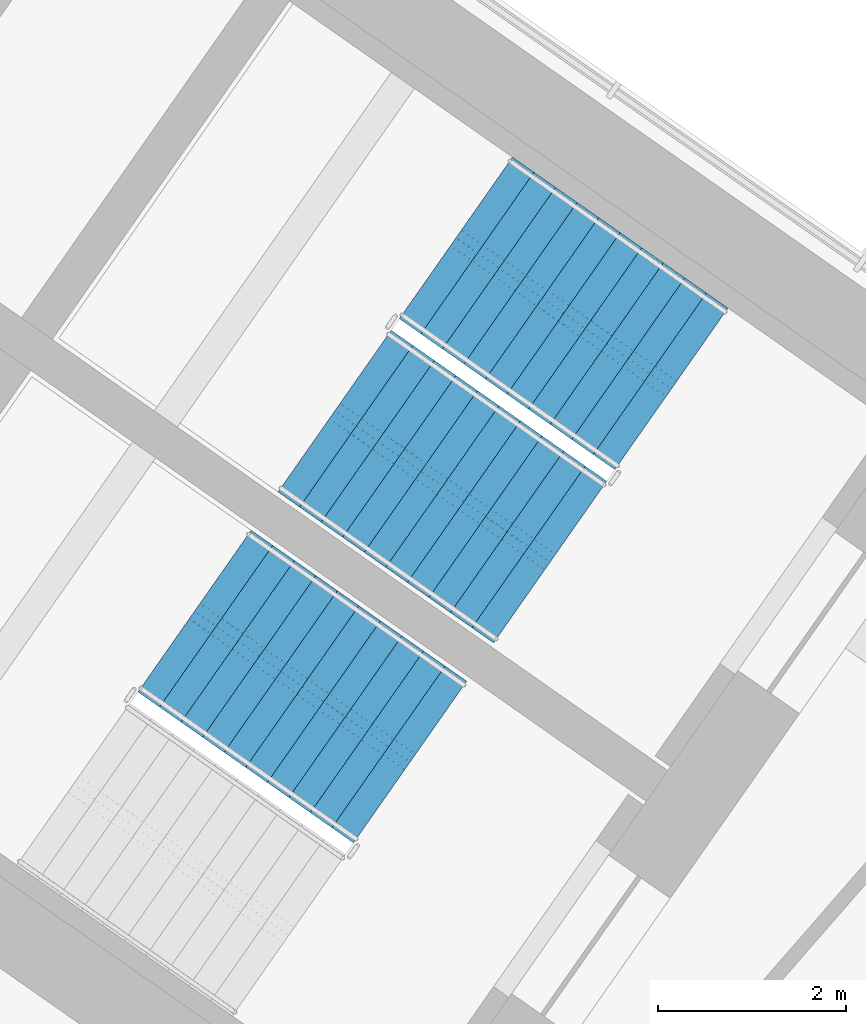
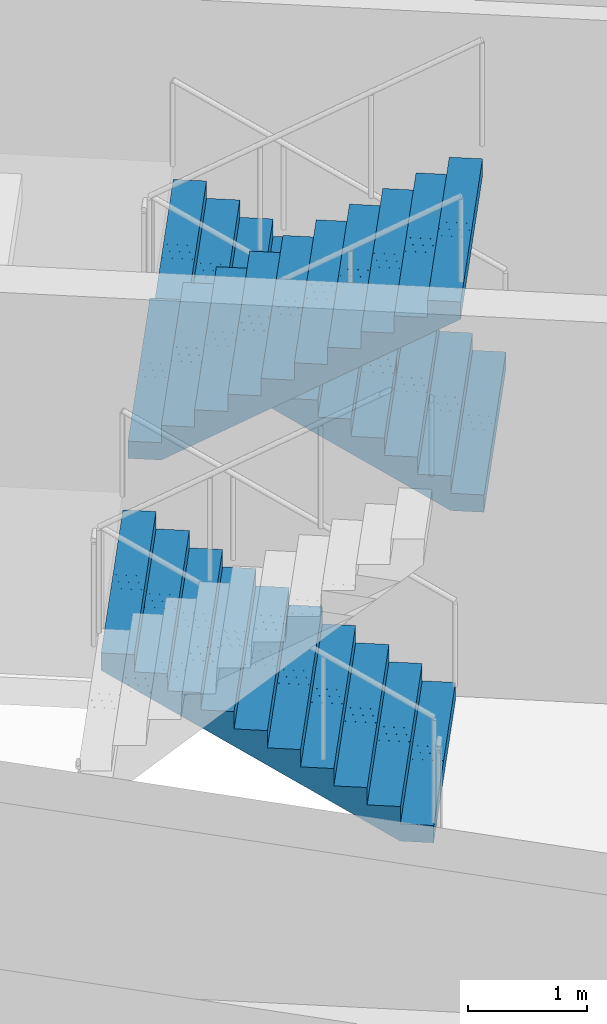
# One storey, part 18 of 23: 3 stair flights, 2 elements without a shape of their own.
"""IFC4 building model written with IfcOpenShell, lengths in metres."""

from ifc_helpers import new_model, si_unit, direction, frame, origin, place, context, subcontext, project, spatial, polyline, outline, extrude, material, type_object, element, aggregate, save


model = new_model("IFC4")

# Units and contexts
model_context = context("Model", 3, precision=1e-05, world=origin(), true_north=direction((0.0, 1.0)))
body_context = subcontext(model_context, "Body", "Model", "MODEL_VIEW")
ifc_project = project(units=[si_unit("LENGTHUNIT", "METRE"), si_unit("AREAUNIT", "SQUARE_METRE"), si_unit("VOLUMEUNIT", "CUBIC_METRE"), si_unit("PLANEANGLEUNIT", "RADIAN"), si_unit("MASSUNIT", "GRAM", prefix="KILO")], contexts=[model_context])

# Site, building, storey
site_placement = place(None, origin())
site = spatial("IfcSite", under=ifc_project, at=site_placement, CompositionType="ELEMENT")
building_placement = place(site_placement, origin())
building = spatial("IfcBuilding", under=site, at=building_placement, Name="Tel Ilan Convention Tower", CompositionType="ELEMENT")
storey_placement = place(building_placement, frame((0.0, 0.0, 174.89990234375)))
storey = spatial("IfcBuildingStorey", under=building, at=storey_placement, Name="L40", CompositionType="ELEMENT", Elevation=174.89990234375)

# Stair, stair flights
ifc_material_1 = material(Name="Concrete C40/50", Category="concrete")
stair_type = type_object("IfcStairType", Name="Pressurised Exit Stair 22 risers 177 mm", PredefinedType="HALF_TURN_STAIR", material=ifc_material_1)
stair_1_placement = place(storey_placement, origin())
stair_1 = element("IfcStair", 1, at=stair_1_placement, inside=storey, type_object=stair_type, Name="L40 Pressurised Stair S3", PredefinedType="HALF_TURN_STAIR")
ifc_material_2 = material(Name="Precast Concrete C40/50", Category="concrete")
stair_flight_type = type_object("IfcStairFlightType", Name="Concrete Stair Flight 2100 mm 22 risers 177 mm", PredefinedType="STRAIGHT", material=ifc_material_2)
stair_flight_1_placement = place(storey_placement, frame((24.25244140625, -7.032470703125, 0.0), z_axis=(0.0, 0.0, 1.0), x_axis=(-0.819152044289, 0.573576436351, 0.0)))
stair_flight_1 = element("IfcStairFlight", 2, at=stair_flight_1_placement, type_object=stair_flight_type, Name="S3 flight 1", NumberOfRisers=11, NumberOfTreads=10, PredefinedType="STRAIGHT", RiserHeight=0.177272727, TreadLength=0.28, context=body_context, shape_type="SweptSolid", body=[
    extrude(outline(polyline([(0.0, 0.0), (0.0, 0.17724609375), (0.280029296875, 0.17724609375), (0.280029296875, 0.3544921875), (0.56005859375, 0.3544921875), (0.56005859375, 0.53173828125), (0.840087890625, 0.53173828125), (0.840087890625, 0.708984375), (1.1201171875, 0.708984375), (1.1201171875, 0.886474609375), (1.39990234375, 0.886474609375), (1.39990234375, 1.063720703125), (1.679931640625, 1.063720703125), (1.679931640625, 1.240966796875), (1.9599609375, 1.240966796875), (1.9599609375, 1.418212890625), (2.239990234375, 1.418212890625), (2.239990234375, 1.595458984375), (2.52001953125, 1.595458984375), (2.52001953125, 1.772705078125), (2.800048828125, 1.772705078125), (2.800048828125, 1.949951171875), (2.800048828125, 1.59521484375), (0.2802734375, 0.0), (0.0, 0.0)])), frame((0.0, -0.100341796875, 0.0), z_axis=(0.0, -1.0, 0.0), x_axis=(1.0, 0.0, 0.0)), (0.0, 0.0, 1.0), 0.94970703125),
    extrude(outline(polyline([(0.0, 0.0), (0.0, 0.17724609375), (0.280029296875, 0.17724609375), (0.280029296875, 0.3544921875), (0.56005859375, 0.3544921875), (0.56005859375, 0.53173828125), (0.840087890625, 0.53173828125), (0.840087890625, 0.708984375), (1.1201171875, 0.708984375), (1.1201171875, 0.886474609375), (1.39990234375, 0.886474609375), (1.39990234375, 1.063720703125), (1.679931640625, 1.063720703125), (1.679931640625, 1.240966796875), (1.9599609375, 1.240966796875), (1.9599609375, 1.418212890625), (2.239990234375, 1.418212890625), (2.239990234375, 1.595458984375), (2.52001953125, 1.595458984375), (2.52001953125, 1.772705078125), (2.800048828125, 1.772705078125), (2.800048828125, 1.949951171875), (2.800048828125, 1.59521484375), (0.2802734375, 0.0), (0.0, 0.0)])), frame((0.0, -0.000244140625, 0.0), z_axis=(0.0, -1.0, 0.0), x_axis=(1.0, 0.0, 0.0)), (0.0, 0.0, 1.0), 0.099609375),
    extrude(outline(polyline([(0.0, 0.0), (0.0, 0.17724609375), (0.280029296875, 0.17724609375), (0.280029296875, 0.3544921875), (0.56005859375, 0.3544921875), (0.56005859375, 0.53173828125), (0.840087890625, 0.53173828125), (0.840087890625, 0.708984375), (1.1201171875, 0.708984375), (1.1201171875, 0.886474609375), (1.39990234375, 0.886474609375), (1.39990234375, 1.063720703125), (1.679931640625, 1.063720703125), (1.679931640625, 1.240966796875), (1.9599609375, 1.240966796875), (1.9599609375, 1.418212890625), (2.239990234375, 1.418212890625), (2.239990234375, 1.595458984375), (2.52001953125, 1.595458984375), (2.52001953125, 1.772705078125), (2.800048828125, 1.772705078125), (2.800048828125, 1.949951171875), (2.800048828125, 1.59521484375), (0.2802734375, 0.0), (0.0, 0.0)])), frame((0.0, 0.099853515625, 0.0), z_axis=(0.0, -1.0, 0.0), x_axis=(1.0, 0.0, 0.0)), (0.0, 0.0, 1.0), 0.099609375),
    extrude(outline(polyline([(0.0, 0.0), (0.0, 0.17724609375), (0.280029296875, 0.17724609375), (0.280029296875, 0.3544921875), (0.56005859375, 0.3544921875), (0.56005859375, 0.53173828125), (0.840087890625, 0.53173828125), (0.840087890625, 0.708984375), (1.1201171875, 0.708984375), (1.1201171875, 0.886474609375), (1.39990234375, 0.886474609375), (1.39990234375, 1.063720703125), (1.679931640625, 1.063720703125), (1.679931640625, 1.240966796875), (1.9599609375, 1.240966796875), (1.9599609375, 1.418212890625), (2.239990234375, 1.418212890625), (2.239990234375, 1.595458984375), (2.52001953125, 1.595458984375), (2.52001953125, 1.772705078125), (2.800048828125, 1.772705078125), (2.800048828125, 1.949951171875), (2.800048828125, 1.59521484375), (0.2802734375, 0.0), (0.0, 0.0)])), frame((0.0, 1.050048828125, 0.0), z_axis=(0.0, -1.0, 0.0), x_axis=(1.0, 0.0, 0.0)), (0.0, 0.0, 1.0), 0.94970703125),
])
stair_flight_2_placement = place(storey_placement, frame((20.668212890625, -7.26953125, 1.9501953125), z_axis=(0.0, 0.0, 1.0), x_axis=(0.819152044289, -0.573576436351, 0.0)))
stair_flight_2 = element("IfcStairFlight", 3, at=stair_flight_2_placement, type_object=stair_flight_type, Name="S3 flight 2", NumberOfRisers=11, NumberOfTreads=10, PredefinedType="STRAIGHT", RiserHeight=0.177272727, TreadLength=0.28, context=body_context, shape_type="SweptSolid", body=[
    extrude(outline(polyline([(0.0, 0.0), (0.0, 0.17724609375), (0.280029296875, 0.17724609375), (0.280029296875, 0.3544921875), (0.56005859375, 0.3544921875), (0.56005859375, 0.53173828125), (0.840087890625, 0.53173828125), (0.840087890625, 0.708984375), (1.1201171875, 0.708984375), (1.1201171875, 0.886474609375), (1.39990234375, 0.886474609375), (1.39990234375, 1.063720703125), (1.679931640625, 1.063720703125), (1.679931640625, 1.240966796875), (1.9599609375, 1.240966796875), (1.9599609375, 1.418212890625), (2.239990234375, 1.418212890625), (2.239990234375, 1.595458984375), (2.52001953125, 1.595458984375), (2.52001953125, 1.772705078125), (2.800048828125, 1.772705078125), (2.800048828125, 1.949951171875), (2.800048828125, 1.59521484375), (0.2802734375, 0.0), (0.0, 0.0)])), frame((0.0, -0.100341796875, 0.0), z_axis=(0.0, -1.0, 0.0), x_axis=(1.0, 0.0, 0.0)), (0.0, 0.0, 1.0), 0.94970703125),
    extrude(outline(polyline([(0.0, 0.0), (0.0, 0.17724609375), (0.280029296875, 0.17724609375), (0.280029296875, 0.3544921875), (0.56005859375, 0.3544921875), (0.56005859375, 0.53173828125), (0.840087890625, 0.53173828125), (0.840087890625, 0.708984375), (1.1201171875, 0.708984375), (1.1201171875, 0.886474609375), (1.39990234375, 0.886474609375), (1.39990234375, 1.063720703125), (1.679931640625, 1.063720703125), (1.679931640625, 1.240966796875), (1.9599609375, 1.240966796875), (1.9599609375, 1.418212890625), (2.239990234375, 1.418212890625), (2.239990234375, 1.595458984375), (2.52001953125, 1.595458984375), (2.52001953125, 1.772705078125), (2.800048828125, 1.772705078125), (2.800048828125, 1.949951171875), (2.800048828125, 1.59521484375), (0.2802734375, 0.0), (0.0, 0.0)])), frame((0.0, -0.000244140625, 0.0), z_axis=(0.0, -1.0, 0.0), x_axis=(1.0, 0.0, 0.0)), (0.0, 0.0, 1.0), 0.099609375),
    extrude(outline(polyline([(0.0, 0.0), (0.0, 0.17724609375), (0.280029296875, 0.17724609375), (0.280029296875, 0.3544921875), (0.56005859375, 0.3544921875), (0.56005859375, 0.53173828125), (0.840087890625, 0.53173828125), (0.840087890625, 0.708984375), (1.1201171875, 0.708984375), (1.1201171875, 0.886474609375), (1.39990234375, 0.886474609375), (1.39990234375, 1.063720703125), (1.679931640625, 1.063720703125), (1.679931640625, 1.240966796875), (1.9599609375, 1.240966796875), (1.9599609375, 1.418212890625), (2.239990234375, 1.418212890625), (2.239990234375, 1.595458984375), (2.52001953125, 1.595458984375), (2.52001953125, 1.772705078125), (2.800048828125, 1.772705078125), (2.800048828125, 1.949951171875), (2.800048828125, 1.59521484375), (0.2802734375, 0.0), (0.0, 0.0)])), frame((0.0, 0.099853515625, 0.0), z_axis=(0.0, -1.0, 0.0), x_axis=(1.0, 0.0, 0.0)), (0.0, 0.0, 1.0), 0.099609375),
    extrude(outline(polyline([(0.0, 0.0), (0.0, 0.17724609375), (0.280029296875, 0.17724609375), (0.280029296875, 0.3544921875), (0.56005859375, 0.3544921875), (0.56005859375, 0.53173828125), (0.840087890625, 0.53173828125), (0.840087890625, 0.708984375), (1.1201171875, 0.708984375), (1.1201171875, 0.886474609375), (1.39990234375, 0.886474609375), (1.39990234375, 1.063720703125), (1.679931640625, 1.063720703125), (1.679931640625, 1.240966796875), (1.9599609375, 1.240966796875), (1.9599609375, 1.418212890625), (2.239990234375, 1.418212890625), (2.239990234375, 1.595458984375), (2.52001953125, 1.595458984375), (2.52001953125, 1.772705078125), (2.800048828125, 1.772705078125), (2.800048828125, 1.949951171875), (2.800048828125, 1.59521484375), (0.2802734375, 0.0), (0.0, 0.0)])), frame((0.0, 1.050048828125, 0.0), z_axis=(0.0, -1.0, 0.0), x_axis=(1.0, 0.0, 0.0)), (0.0, 0.0, 1.0), 0.94970703125),
])
aggregate(stair_1, [stair_flight_1, stair_flight_2])

# Stair, stair flight
stair_2_placement = place(storey_placement, origin())
stair_2 = element("IfcStair", 4, at=stair_2_placement, inside=storey, type_object=stair_type, Name="L40 Pressurised Stair S4", PredefinedType="HALF_TURN_STAIR")
stair_flight_3_placement = place(storey_placement, frame((21.470458984375, -11.00537109375, 0.0), z_axis=(0.0, 0.0, 1.0), x_axis=(-0.819152044289, 0.573576436351, 0.0)))
stair_flight_3 = element("IfcStairFlight", 5, at=stair_flight_3_placement, type_object=stair_flight_type, Name="S4 flight 1", NumberOfRisers=11, NumberOfTreads=10, PredefinedType="STRAIGHT", RiserHeight=0.177272727, TreadLength=0.28, context=body_context, shape_type="SweptSolid", body=[
    extrude(outline(polyline([(0.0, 0.0), (0.0, 0.17724609375), (0.280029296875, 0.17724609375), (0.280029296875, 0.3544921875), (0.56005859375, 0.3544921875), (0.56005859375, 0.53173828125), (0.840087890625, 0.53173828125), (0.840087890625, 0.708984375), (1.1201171875, 0.708984375), (1.1201171875, 0.886474609375), (1.39990234375, 0.886474609375), (1.39990234375, 1.063720703125), (1.679931640625, 1.063720703125), (1.679931640625, 1.240966796875), (1.9599609375, 1.240966796875), (1.9599609375, 1.418212890625), (2.239990234375, 1.418212890625), (2.239990234375, 1.595458984375), (2.52001953125, 1.595458984375), (2.52001953125, 1.772705078125), (2.800048828125, 1.772705078125), (2.800048828125, 1.949951171875), (2.800048828125, 1.59521484375), (0.2802734375, 0.0), (0.0, 0.0)])), frame((0.0, -0.100341796875, 0.0), z_axis=(0.0, -1.0, 0.0), x_axis=(1.0, 0.0, 0.0)), (0.0, 0.0, 1.0), 0.94970703125),
    extrude(outline(polyline([(0.0, 0.0), (0.0, 0.17724609375), (0.280029296875, 0.17724609375), (0.280029296875, 0.3544921875), (0.56005859375, 0.3544921875), (0.56005859375, 0.53173828125), (0.840087890625, 0.53173828125), (0.840087890625, 0.708984375), (1.1201171875, 0.708984375), (1.1201171875, 0.886474609375), (1.39990234375, 0.886474609375), (1.39990234375, 1.063720703125), (1.679931640625, 1.063720703125), (1.679931640625, 1.240966796875), (1.9599609375, 1.240966796875), (1.9599609375, 1.418212890625), (2.239990234375, 1.418212890625), (2.239990234375, 1.595458984375), (2.52001953125, 1.595458984375), (2.52001953125, 1.772705078125), (2.800048828125, 1.772705078125), (2.800048828125, 1.949951171875), (2.800048828125, 1.59521484375), (0.2802734375, 0.0), (0.0, 0.0)])), frame((0.0, -0.000244140625, 0.0), z_axis=(0.0, -1.0, 0.0), x_axis=(1.0, 0.0, 0.0)), (0.0, 0.0, 1.0), 0.099609375),
    extrude(outline(polyline([(0.0, 0.0), (0.0, 0.17724609375), (0.280029296875, 0.17724609375), (0.280029296875, 0.3544921875), (0.56005859375, 0.3544921875), (0.56005859375, 0.53173828125), (0.840087890625, 0.53173828125), (0.840087890625, 0.708984375), (1.1201171875, 0.708984375), (1.1201171875, 0.886474609375), (1.39990234375, 0.886474609375), (1.39990234375, 1.063720703125), (1.679931640625, 1.063720703125), (1.679931640625, 1.240966796875), (1.9599609375, 1.240966796875), (1.9599609375, 1.418212890625), (2.239990234375, 1.418212890625), (2.239990234375, 1.595458984375), (2.52001953125, 1.595458984375), (2.52001953125, 1.772705078125), (2.800048828125, 1.772705078125), (2.800048828125, 1.949951171875), (2.800048828125, 1.59521484375), (0.2802734375, 0.0), (0.0, 0.0)])), frame((0.0, 0.099853515625, 0.0), z_axis=(0.0, -1.0, 0.0), x_axis=(1.0, 0.0, 0.0)), (0.0, 0.0, 1.0), 0.099609375),
    extrude(outline(polyline([(0.0, 0.0), (0.0, 0.17724609375), (0.280029296875, 0.17724609375), (0.280029296875, 0.3544921875), (0.56005859375, 0.3544921875), (0.56005859375, 0.53173828125), (0.840087890625, 0.53173828125), (0.840087890625, 0.708984375), (1.1201171875, 0.708984375), (1.1201171875, 0.886474609375), (1.39990234375, 0.886474609375), (1.39990234375, 1.063720703125), (1.679931640625, 1.063720703125), (1.679931640625, 1.240966796875), (1.9599609375, 1.240966796875), (1.9599609375, 1.418212890625), (2.239990234375, 1.418212890625), (2.239990234375, 1.595458984375), (2.52001953125, 1.595458984375), (2.52001953125, 1.772705078125), (2.800048828125, 1.772705078125), (2.800048828125, 1.949951171875), (2.800048828125, 1.59521484375), (0.2802734375, 0.0), (0.0, 0.0)])), frame((0.0, 1.050048828125, 0.0), z_axis=(0.0, -1.0, 0.0), x_axis=(1.0, 0.0, 0.0)), (0.0, 0.0, 1.0), 0.94970703125),
])
aggregate(stair_2, [stair_flight_3])

save(model, "model.ifc")
